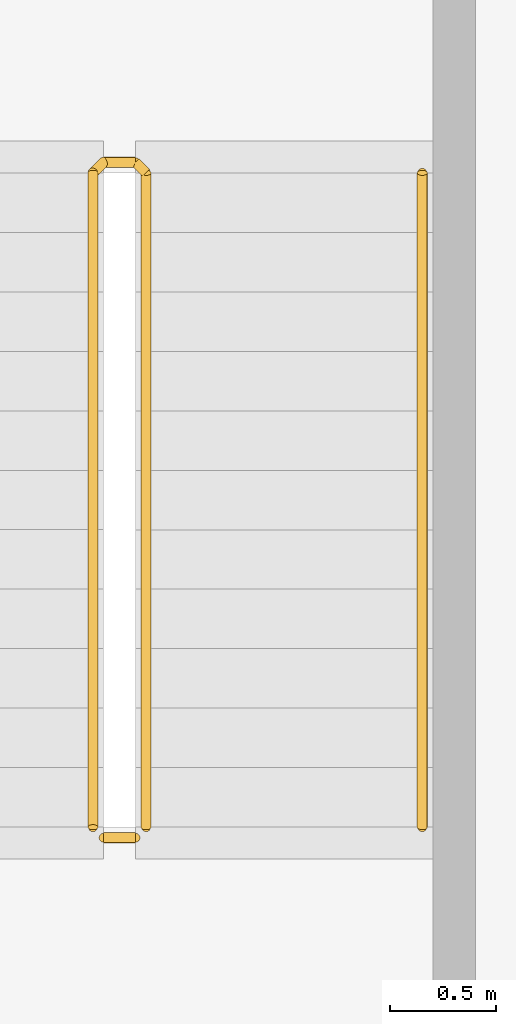
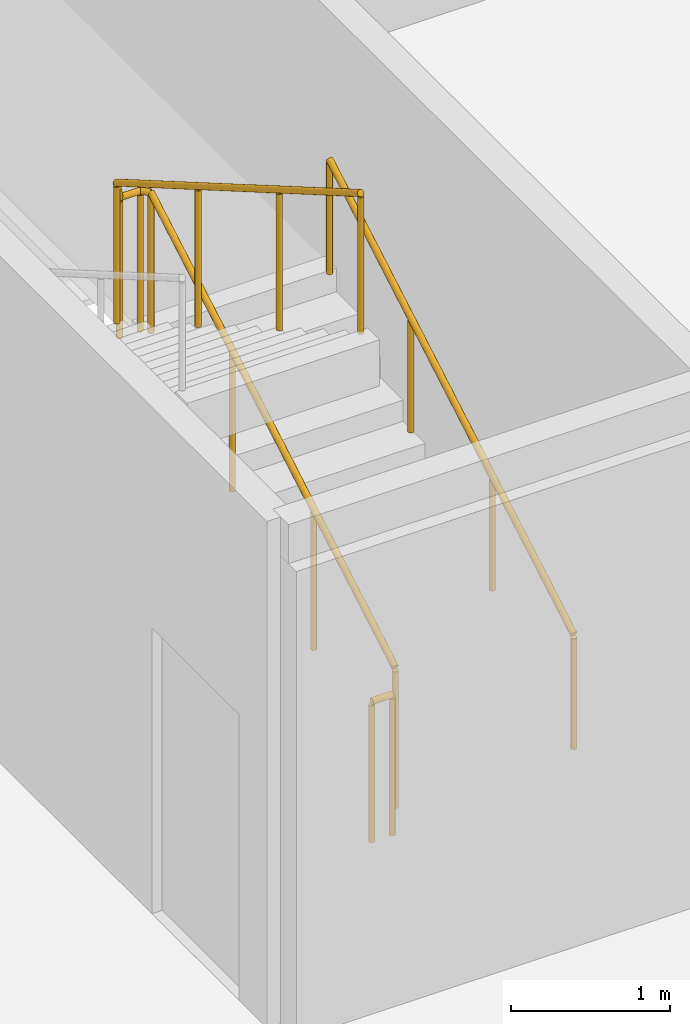
# One storey, part 21 of 22: 3 railings.
"""IFC4 building model written with IfcOpenShell, lengths in metres."""

import ifcopenshell
import ifcopenshell.guid

model = None  # the IFC model being written
_history = None  # IfcOwnerHistory: only IFC2X3 demands one
_inside = {}  # id of a spatial element -> (the spatial element, [elements in it])
_under = {}  # id of a project, library or spatial element -> (it, [spatial elements below it])
_declared = {}  # id of a project -> (the project, [libraries it declares])
_typed = {}  # id of a type object -> (the type object, [elements of that type])
_made_of = {}  # id of a material, layer set ... -> (it, [elements and type objects made of it])


def new_model(schema):
    """Start an empty IFC model of exactly this schema.

    Asked for "IFC4X3", IfcOpenShell would pick the latest addendum, in which some entities
    have other attributes; the version numbers below select the first issue.
    IFC2X3 requires an IfcOwnerHistory on every rooted entity: one is made here for all.
    """
    global model, _history
    if schema == "IFC4X3":
        model = ifcopenshell.file(schema_version=(4, 3, 0, 0))
    else:
        model = ifcopenshell.file(schema=schema)
    _inside.clear()
    _under.clear()
    _declared.clear()
    _typed.clear()
    _made_of.clear()
    _history = None
    if model.schema == "IFC2X3":
        org = make("IfcOrganization", Name="unknown")
        user = make(
            "IfcPersonAndOrganization",
            ThePerson=make("IfcPerson", FamilyName="unknown"),
            TheOrganization=org,
        )
        app = make(
            "IfcApplication",
            ApplicationDeveloper=org,
            Version="unknown",
            ApplicationFullName="unknown",
            ApplicationIdentifier="unknown",
        )
        _history = make(
            "IfcOwnerHistory",
            OwningUser=user,
            OwningApplication=app,
            ChangeAction="ADDED",
            CreationDate=0,
        )
    return model


def make(cls, **values):
    """One entity of the class cls with the attributes given. An attribute that is None is left unset."""
    return model.create_entity(
        cls, **{name: value for name, value in values.items() if value is not None}
    )


def rooted(cls, **values):
    """An entity with a GlobalId (a new one), such as an element, a storey or a relation."""
    return make(cls, GlobalId=ifcopenshell.guid.new(), OwnerHistory=_history, **values)


def si_unit(unit_type, name, prefix=None):
    """IfcSIUnit, for example si_unit("LENGTHUNIT", "METRE", prefix="MILLI")."""
    return make("IfcSIUnit", UnitType=unit_type, Prefix=prefix, Name=name)


def assignment(units):
    """IfcUnitAssignment: the units of a project."""
    return None if units is None else make("IfcUnitAssignment", Units=units)


def point(xyz):
    """IfcCartesianPoint."""
    return None if xyz is None else make("IfcCartesianPoint", Coordinates=xyz)


def direction(xyz):
    """IfcDirection."""
    return None if xyz is None else make("IfcDirection", DirectionRatios=xyz)


def frame(location, z_axis=None, x_axis=None):
    """IfcAxis2Placement3D, a coordinate frame: its origin and axes. An axis left out is left unset."""
    return make(
        "IfcAxis2Placement3D",
        Location=point(location),
        Axis=direction(z_axis),
        RefDirection=direction(x_axis),
    )


def frame_2d(location, x_axis=None):
    """IfcAxis2Placement2D, a coordinate frame in the plane: its origin and x axis."""
    return make(
        "IfcAxis2Placement2D", Location=point(location), RefDirection=direction(x_axis)
    )


def origin():
    """The frame at (0, 0, 0) with its axes left unset."""
    return frame((0.0, 0.0, 0.0))


def origin_2d():
    """The frame at (0, 0) in the plane with its x axis left unset."""
    return frame_2d((0.0, 0.0))


def place(relative_to, where):
    """IfcLocalPlacement: puts the frame where relative to a parent placement (None: the world)."""
    return make(
        "IfcLocalPlacement", PlacementRelTo=relative_to, RelativePlacement=where
    )


def context(
    kind, dimensions, precision=None, world=None, true_north=None, identifier=None
):
    """IfcGeometricRepresentationContext, for example the 3D "Model" context."""
    return make(
        "IfcGeometricRepresentationContext",
        ContextIdentifier=identifier,
        ContextType=kind,
        CoordinateSpaceDimension=dimensions,
        Precision=precision,
        WorldCoordinateSystem=world,
        TrueNorth=true_north,
    )


def subcontext(parent, identifier, kind, view, scale=None):
    """IfcGeometricRepresentationSubContext, for example "Body" below "Model"."""
    return make(
        "IfcGeometricRepresentationSubContext",
        ContextIdentifier=identifier,
        ContextType=kind,
        ParentContext=parent,
        TargetScale=scale,
        TargetView=view,
    )


def project(units=None, contexts=None):
    """IfcProject with its units and contexts."""
    return rooted(
        "IfcProject",
        Name="project",
        RepresentationContexts=contexts,
        UnitsInContext=assignment(units),
    )


def spatial(cls, under=None, at=None, **own):
    """A site, building, storey or space (cls), placed at a placement, below another one or the project."""
    s = rooted(cls, ObjectPlacement=at, **own)
    if under is not None:
        _under.setdefault(under.id(), (under, []))[1].append(s)
    return s


def profile(cls, at=None, kind="AREA", **sizes):
    """A parametric profile (cls). Its sizes go by their IFC names, for example OverallWidth=200.0."""
    return make(cls, ProfileType=kind, Position=at, **sizes)


def circle(**sizes):
    """IfcCircleProfileDef."""
    return profile("IfcCircleProfileDef", **sizes)


def extrude(swept, where, along, depth):
    """IfcExtrudedAreaSolid: the profile swept, set in the frame where, extruded along a direction by depth."""
    return make(
        "IfcExtrudedAreaSolid",
        SweptArea=swept,
        Position=where,
        ExtrudedDirection=direction(along),
        Depth=depth,
    )


def shape(context_of_items, identifier, shape_type, items):
    """IfcShapeRepresentation: the items that make up one representation, for example the "Body"."""
    return make(
        "IfcShapeRepresentation",
        ContextOfItems=context_of_items,
        RepresentationIdentifier=identifier,
        RepresentationType=shape_type,
        Items=items,
    )


def material(Name=None, Category=None):
    """IfcMaterial."""
    return make("IfcMaterial", Name=Name, Category=Category)


def made_of(thing, what):
    """Note that an element or type object is made of a material, layer set ...; save() writes the relation."""
    if what is not None:
        _made_of.setdefault(what.id(), (what, []))[1].append(thing)
    return thing


def type_object(cls, material=None, **own):
    """A type object (cls), such as IfcWallType, which elements share."""
    return made_of(rooted(cls, **own), material)


def element(
    cls,
    number,
    at=None,
    inside=None,
    cuts=None,
    type_object=None,
    material=None,
    context=None,
    identifier="Body",
    shape_type=None,
    held_by="IfcProductDefinitionShape",
    body=None,
    shapes=None,
    **own,
):
    """One element of the class cls, such as IfcWall. Its Tag is "e" and its number.

    at: its placement. inside: the storey or other place that contains it. cuts: it is an
    opening in that element (IfcRelVoidsElement). A single representation is given by context,
    identifier, shape_type and body (its items); several are given by shapes. held_by: the class
    of the entity that holds the representations. save() writes the other relations.
    """
    e = rooted(cls, Tag="e%d" % number, ObjectPlacement=at, **own)
    if body is not None:
        shapes = [shape(context, identifier, shape_type, body)]
    if shapes is not None:
        e.Representation = make(held_by, Representations=shapes)
    if inside is not None:
        _inside.setdefault(inside.id(), (inside, []))[1].append(e)
    if cuts is not None:
        rooted(
            "IfcRelVoidsElement", RelatingBuildingElement=cuts, RelatedOpeningElement=e
        )
    if type_object is not None:
        _typed.setdefault(type_object.id(), (type_object, []))[1].append(e)
    return made_of(e, material)


def aggregate(whole, parts):
    """IfcRelAggregates: a whole, such as a stair, and the parts it consists of."""
    return rooted("IfcRelAggregates", RelatingObject=whole, RelatedObjects=parts)


def save(model, path):
    """Write the relations noted so far, then the file.

    IfcRelAggregates (storeys below a building ...), IfcRelContainedInSpatialStructure (elements
    in a storey), IfcRelDefinesByType, IfcRelAssociatesMaterial and IfcRelDeclares: one each for
    every whole, place, type object, material and project.
    """
    for whole, parts in _under.values():
        aggregate(whole, parts)
    for where, things in _inside.values():
        rooted(
            "IfcRelContainedInSpatialStructure",
            RelatedElements=things,
            RelatingStructure=where,
        )
    for kind, things in _typed.values():
        rooted("IfcRelDefinesByType", RelatedObjects=things, RelatingType=kind)
    for what, things in _made_of.values():
        rooted("IfcRelAssociatesMaterial", RelatedObjects=things, RelatingMaterial=what)
    for by, libraries in _declared.values():
        rooted("IfcRelDeclares", RelatingContext=by, RelatedDefinitions=libraries)
    model.write(path)


model = new_model("IFC4")

# Units and contexts
model_context = context("Model", 3, precision=1e-05, world=origin(), true_north=direction((0.0, 1.0)))
body_context = subcontext(model_context, "Body", "Model", "MODEL_VIEW")
ifc_project = project(units=[si_unit("LENGTHUNIT", "METRE"), si_unit("AREAUNIT", "SQUARE_METRE"), si_unit("VOLUMEUNIT", "CUBIC_METRE"), si_unit("PLANEANGLEUNIT", "RADIAN"), si_unit("MASSUNIT", "GRAM", prefix="KILO")], contexts=[model_context])

# Site, building, storey
site_placement = place(None, origin())
site = spatial("IfcSite", under=ifc_project, at=site_placement, CompositionType="ELEMENT")
building_placement = place(site_placement, origin())
building = spatial("IfcBuilding", under=site, at=building_placement, Name="Kheshtan School and Residences Tower", CompositionType="ELEMENT")
storey_placement = place(building_placement, frame((0.0, 0.0, 251.300048828125)))
storey = spatial("IfcBuildingStorey", under=building, at=storey_placement, Name="L59", CompositionType="ELEMENT", Elevation=251.300048828125)

# Railings
ifc_material_1 = material(Name="Stainless steel balustrade", Category="steel")
railing_type_1 = type_object("IfcRailingType", Name="Stair guard 1100", PredefinedType="GUARDRAIL", material=ifc_material_1)
railing_1_placement = place(storey_placement, frame((35.0, 80.89990234375, 0.162353515625)))
element("IfcRailing", 1, at=railing_1_placement, inside=storey, type_object=railing_type_1, Name="L59 ST3 stair guard 1", PredefinedType="GUARDRAIL", context=body_context, shape_type="SweptSolid", body=[
    extrude(circle(Radius=0.02392578125, at=origin_2d()), frame((0.0, 0.0, 1.076171875), z_axis=(0.0, 0.864890721111, 0.501960198159), x_axis=(-1.0, 0.0, 0.0)), (0.0, 0.0, 1.0), 3.561279296875),
    extrude(circle(Radius=0.02392578125, at=origin_2d()), frame((0.0, 3.080078125, 2.86376953125), z_axis=(-0.707106781187, 0.707106781187, 0.0), x_axis=(-0.707106781187, -0.707106781187, 0.0)), (0.0, 0.0, 1.0), 0.07080078125),
    extrude(circle(Radius=0.02392578125, at=origin_2d()), frame((-0.050048828125, 3.130126953125, 2.86376953125), z_axis=(-1.0, 0.0, 0.0), x_axis=(0.0, -1.0, 0.0)), (0.0, 0.0, 1.0), 0.14990234375),
    extrude(circle(Radius=0.02392578125, at=origin_2d()), frame((-0.199951171875, 3.130126953125, 2.86376953125), z_axis=(-0.282227285176, -0.282227285176, 0.916894497205), x_axis=(0.707106781187, -0.707106781187, 0.0)), (0.0, 0.0, 1.0), 0.17724609375),
    extrude(circle(Radius=0.02392578125, at=origin_2d()), frame((-0.25, 3.080078125, 3.0263671875), z_axis=(0.0, -0.864920483161, 0.501908913857), x_axis=(1.0, 0.0, 0.0)), (0.0, 0.0, 1.0), 3.56103515625),
    extrude(circle(Radius=0.02099609375, at=origin_2d()), origin(), (0.0, 0.0, 1.0), 1.052001953125),
    extrude(circle(Radius=0.02099609375, at=origin_2d()), frame((0.0, 1.026611328125, 0.595947265625)), (0.0, 0.0, 1.0), 1.052001953125),
    extrude(circle(Radius=0.02099609375, at=origin_2d()), frame((0.0, 2.053466796875, 1.191650390625)), (0.0, 0.0, 1.0), 1.052001953125),
    extrude(circle(Radius=0.02099609375, at=origin_2d()), frame((0.0, 3.080078125, 1.78759765625)), (0.0, 0.0, 1.0), 1.052001953125),
    extrude(circle(Radius=0.02099609375, at=origin_2d()), frame((-0.050048828125, 3.130126953125, 1.78759765625)), (0.0, 0.0, 1.0), 1.052001953125),
    extrude(circle(Radius=0.02099609375, at=origin_2d()), frame((-0.199951171875, 3.130126953125, 1.78759765625)), (0.0, 0.0, 1.0), 1.052001953125),
    extrude(circle(Radius=0.02099609375, at=origin_2d()), frame((-0.25, 3.080078125, 1.9501953125)), (0.0, 0.0, 1.0), 1.052001953125),
    extrude(circle(Radius=0.02099609375, at=origin_2d()), frame((-0.25, 2.053466796875, 2.5458984375)), (0.0, 0.0, 1.0), 1.052001953125),
    extrude(circle(Radius=0.02099609375, at=origin_2d()), frame((-0.25, 1.026611328125, 3.141845703125)), (0.0, 0.0, 1.0), 1.052001953125),
    extrude(circle(Radius=0.02099609375, at=origin_2d()), frame((-0.25, 0.0, 3.737548828125)), (0.0, 0.0, 1.0), 1.052001953125),
])
railing_2_placement = place(storey_placement, frame((34.949951171875, 80.85009765625, 0.0)))
element("IfcRailing", 2, at=railing_2_placement, inside=storey, type_object=railing_type_1, Name="L59 ST3 stair guard 2", PredefinedType="GUARDRAIL", context=body_context, shape_type="SweptSolid", body=[
    extrude(circle(Radius=0.02392578125, at=origin_2d()), frame((0.0, 0.0, 1.076171875), z_axis=(-1.0, 0.0, 0.0), x_axis=(0.0, -1.0, 0.0)), (0.0, 0.0, 1.0), 0.14990234375),
    extrude(circle(Radius=0.02099609375, at=origin_2d()), origin(), (0.0, 0.0, 1.0), 1.052001953125),
    extrude(circle(Radius=0.02099609375, at=origin_2d()), frame((-0.14990234375, 0.0, 0.0)), (0.0, 0.0, 1.0), 1.052001953125),
])
ifc_material_2 = material(Name="Stainless steel handrail", Category="steel")
railing_type_2 = type_object("IfcRailingType", Name="Stair handrail 900", PredefinedType="HANDRAIL", material=ifc_material_2)
railing_3_placement = place(storey_placement, frame((36.300048828125, 80.89990234375, 0.162353515625)))
element("IfcRailing", 3, at=railing_3_placement, inside=storey, type_object=railing_type_2, Name="L59 ST3 stair handrail 1", PredefinedType="HANDRAIL", context=body_context, shape_type="SweptSolid", body=[
    extrude(circle(Radius=0.02392578125, at=origin_2d()), frame((0.0, 0.0, 0.8759765625), z_axis=(0.0, 0.864890721111, 0.501960198159), x_axis=(-1.0, 0.0, 0.0)), (0.0, 0.0, 1.0), 3.561279296875),
    extrude(circle(Radius=0.02099609375, at=origin_2d()), origin(), (0.0, 0.0, 1.0), 0.851806640625),
    extrude(circle(Radius=0.02099609375, at=origin_2d()), frame((0.0, 1.026611328125, 0.595947265625)), (0.0, 0.0, 1.0), 0.851806640625),
    extrude(circle(Radius=0.02099609375, at=origin_2d()), frame((0.0, 2.053466796875, 1.191650390625)), (0.0, 0.0, 1.0), 0.851806640625),
    extrude(circle(Radius=0.02099609375, at=origin_2d()), frame((0.0, 3.080078125, 1.78759765625)), (0.0, 0.0, 1.0), 0.851806640625),
])

save(model, "model.ifc")
